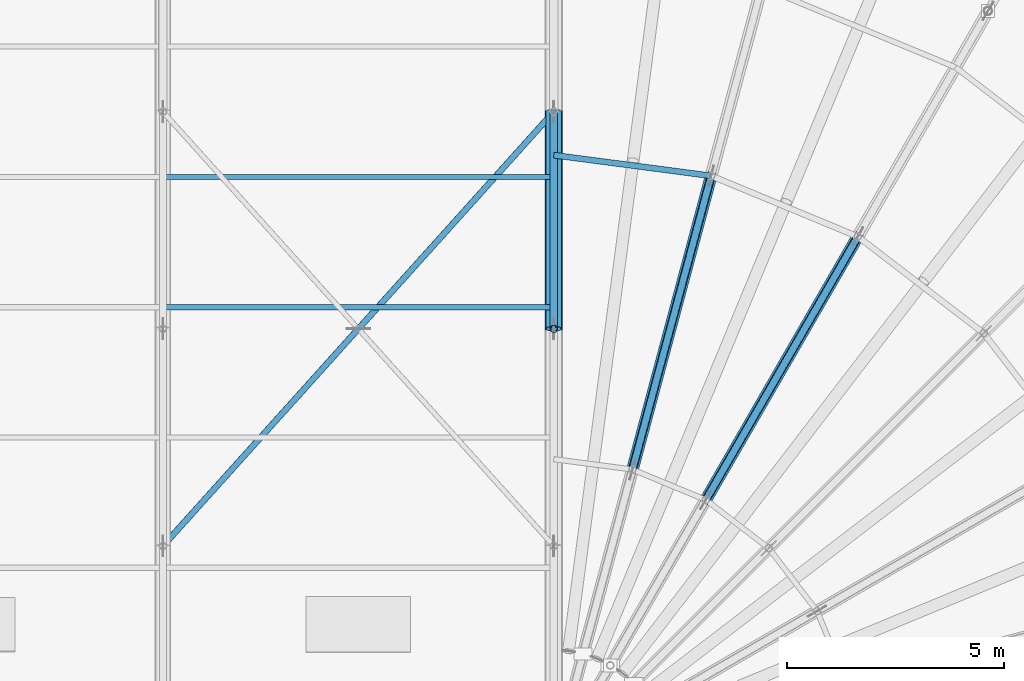
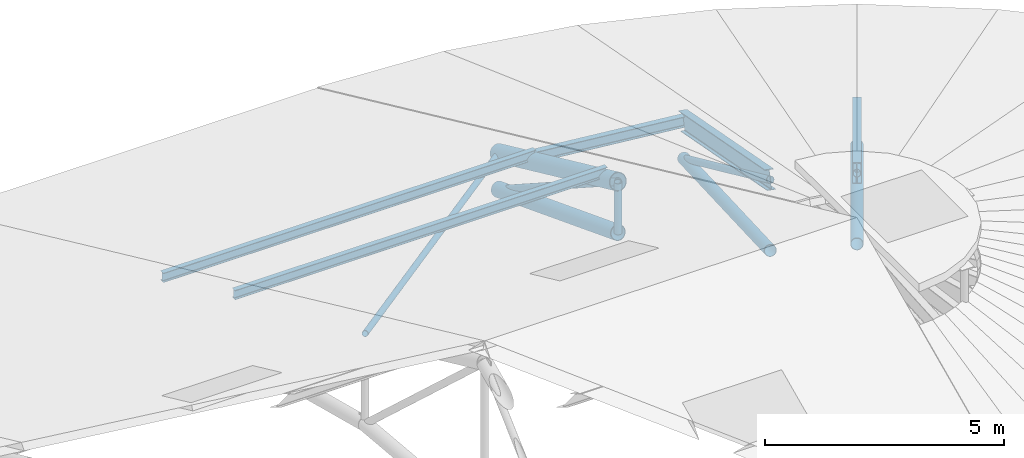
# One storey, part 49 of 107: 14 members.
"""IFC4 building model written with IfcOpenShell, lengths in metres."""

from ifc_helpers import new_model, si_unit, derived_unit, direction, frame, origin, origin_2d, place, context, subcontext, project, spatial, hollow_circle, i_section, extrude, material, material_profile, profile_set, type_object, element, save


model = new_model("IFC4")

# Units and contexts
model_context = context("Model", 3, precision=1e-05, world=origin(), true_north=direction((0.0, 1.0)))
body_context = subcontext(model_context, "Body", "Model", "MODEL_VIEW")
ifc_project = project(units=[si_unit("LENGTHUNIT", "METRE"), si_unit("AREAUNIT", "SQUARE_METRE"), si_unit("VOLUMEUNIT", "CUBIC_METRE"), si_unit("PLANEANGLEUNIT", "RADIAN"), si_unit("MASSUNIT", "GRAM", prefix="KILO"), si_unit("THERMODYNAMICTEMPERATUREUNIT", "KELVIN"), si_unit("TIMEUNIT", "SECOND"), derived_unit("THERMALTRANSMITTANCEUNIT", [(si_unit("MASSUNIT", "GRAM", prefix="KILO"), 1), (si_unit("THERMODYNAMICTEMPERATUREUNIT", "KELVIN"), -1), (si_unit("TIMEUNIT", "SECOND"), -3)])], contexts=[model_context])

# Site, building, storey
site_placement = place(None, origin())
site = spatial("IfcSite", under=ifc_project, at=site_placement, CompositionType="ELEMENT")
building_placement = place(site_placement, origin())
building = spatial("IfcBuilding", under=site, at=building_placement, Name="Cambertide Market Hall", CompositionType="ELEMENT")
storey_placement = place(building_placement, frame((0.0, 0.0, 18.300048828125)))
storey = spatial("IfcBuildingStorey", under=building, at=storey_placement, Name="RF", CompositionType="ELEMENT", Elevation=18.300048828125)

# Members
ifc_material_1 = material(Name="Steel S355", Category="steel")
ifc_material_profile_1 = material_profile(ifc_material_1, hollow_circle(Radius=0.136474609375, WallThickness=0.010009765625, at=origin_2d()), Name="CHS 273x10")
ifc_profile_set_1 = profile_set([ifc_material_profile_1], Name="Steel S355")
member_type_1 = type_object("IfcMemberType", Name="Arched Truss Chord CHS 273x10", PredefinedType="CHORD", material=ifc_profile_set_1)
member_1_placement = place(storey_placement, frame((108.5, 78.062255859375, -5.381591796875), z_axis=(0.473508125204, 0.820117658259, -0.321243026348), x_axis=(-0.866019471182, 0.500010275428, 0.0)))
element("IfcMember", 1, at=member_1_placement, inside=storey, type_object=member_type_1, Name="Half-Cone Radial Arch Chord E-20-2", PredefinedType="CHORD", context=body_context, shape_type="SweptSolid", body=[
    extrude(hollow_circle(Radius=0.136474609375, WallThickness=0.010009765625, at=origin_2d()), origin(), (0.0, 0.0, 1.0), 7.3916015625),
])
member_2_placement = place(storey_placement, frame((106.811767578125, 78.761474609375, -5.381591796875), z_axis=(0.245105868419, 0.914729420004, -0.321236986422), x_axis=(-0.965924543531, 0.258823832372, 0.0)))
element("IfcMember", 2, at=member_2_placement, inside=storey, type_object=member_type_1, Name="Half-Cone Radial Arch Chord E-22-2", PredefinedType="CHORD", context=body_context, shape_type="SweptSolid", body=[
    extrude(hollow_circle(Radius=0.136474609375, WallThickness=0.010009765625, at=origin_2d()), origin(), (0.0, 0.0, 1.0), 7.391845703125),
])
ifc_material_2 = material(Name="Steel S355", Category="steel")
ifc_material_profile_2 = material_profile(ifc_material_2, hollow_circle(Radius=0.177734375, WallThickness=0.012451171875, at=origin_2d()), Name="CHS 355.6x12.5")
ifc_profile_set_2 = profile_set([ifc_material_profile_2], Name="Steel S355")
member_type_2 = type_object("IfcMemberType", Name="Arched Truss Chord CHS 355.6x12.5", PredefinedType="CHORD", material=ifc_profile_set_2)
member_3_placement = place(storey_placement, frame((105.0, 82.0, -6.251220703125), z_axis=(0.0, 0.933191676524, -0.359379040661), x_axis=(-1.0, 0.0, 0.0)))
element("IfcMember", 3, at=member_3_placement, inside=storey, type_object=member_type_2, Name="Roof Truss 8 Arched Bottom Chord 7", PredefinedType="CHORD", context=body_context, shape_type="SweptSolid", body=[
    extrude(hollow_circle(Radius=0.177734375, WallThickness=0.012451171875, at=origin_2d()), origin(), (0.0, 0.0, 1.0), 5.35791015625),
])
ifc_material_3 = material(Name="Steel S355", Category="steel")
ifc_material_profile_3 = material_profile(ifc_material_3, hollow_circle(Radius=0.203125, WallThickness=0.01416015625, at=origin_2d()), Name="CHS 406.4x14.2")
ifc_profile_set_3 = profile_set([ifc_material_profile_3], Name="Steel S355")
member_type_3 = type_object("IfcMemberType", Name="Arched Truss Chord CHS 406.4x14.2", PredefinedType="CHORD", material=ifc_profile_set_3)
member_4_placement = place(storey_placement, frame((105.0, 82.0, -4.949951171875), z_axis=(0.0, 0.908487084298, -0.417912930721), x_axis=(-1.0, 0.0, 0.0)))
element("IfcMember", 4, at=member_4_placement, inside=storey, type_object=member_type_3, Name="Roof Truss 8 Top Chord 7", PredefinedType="CHORD", context=body_context, shape_type="SweptSolid", body=[
    extrude(hollow_circle(Radius=0.203125, WallThickness=0.01416015625, at=origin_2d()), origin(), (0.0, 0.0, 1.0), 5.503662109375),
])
ifc_material_4 = material(Name="Steel S355", Category="steel")
ifc_material_profile_4 = material_profile(ifc_material_4, i_section(OverallWidth=0.18994140625, OverallDepth=0.449951171875, WebThickness=0.009521484375, FlangeThickness=0.0146484375, FilletRadius=0.02099609375, at=origin_2d()), Name="IPE 450")
ifc_profile_set_4 = profile_set([ifc_material_profile_4], Name="Steel S355")
member_type_4 = type_object("IfcMemberType", Name="Radial Fan Rafter IPE 450", PredefinedType="RAFTER", material=ifc_profile_set_4)
member_5_placement = place(storey_placement, frame((108.5, 78.062255859375, -3.570068359375), z_axis=(0.454253652919, 0.786768847794, -0.417909558339), x_axis=(-0.866019471182, 0.500010275428, 0.0)))
element("IfcMember", 5, at=member_5_placement, inside=storey, type_object=member_type_4, Name="Half-Cone Radial Truss Rafter E-20-2", PredefinedType="RAFTER", context=body_context, shape_type="SweptSolid", body=[
    extrude(i_section(OverallWidth=0.18994140625, OverallDepth=0.449951171875, WebThickness=0.009521484375, FlangeThickness=0.0146484375, FilletRadius=0.02099609375, at=origin_2d()), origin(), (0.0, 0.0, 1.0), 7.704833984375),
])
member_6_placement = place(storey_placement, frame((106.811767578125, 78.761474609375, -3.570068359375), z_axis=(0.235139371303, 0.877534683767, -0.417902326925), x_axis=(-0.965924543531, 0.258823832372, 0.0)))
element("IfcMember", 6, at=member_6_placement, inside=storey, type_object=member_type_4, Name="Half-Cone Radial Truss Rafter E-22-2", PredefinedType="RAFTER", context=body_context, shape_type="SweptSolid", body=[
    extrude(i_section(OverallWidth=0.18994140625, OverallDepth=0.449951171875, WebThickness=0.009521484375, FlangeThickness=0.0146484375, FilletRadius=0.02099609375, at=origin_2d()), origin(), (0.0, 0.0, 1.0), 7.705078125),
])
ifc_material_5 = material(Name="Steel S275", Category="steel")
ifc_material_profile_5 = material_profile(ifc_material_5, i_section(OverallWidth=0.1201171875, OverallDepth=0.239990234375, WebThickness=0.006103515625, FlangeThickness=0.009765625, FilletRadius=0.014892578125, at=origin_2d()), Name="IPE 240")
ifc_profile_set_5 = profile_set([ifc_material_profile_5], Name="Steel S275")
member_type_5 = type_object("IfcMemberType", Name="Roof Purlin IPE 240", PredefinedType="PURLIN", material=ifc_profile_set_5)
for number, where, z_axis, x_axis, name in (
    (7, (96.0, 82.5, -4.969970703125), (1.0, 0.0, 0.0), (0.0, 1.0, 0.0), "Barrel Roof Purlin 7-12"),
    (8, (96.0, 85.5, -6.35009765625), (1.0, 0.0, 0.0), (0.0, 1.0, 0.0), "Barrel Roof Purlin 7-13"),
):
    element("IfcMember", number, at=place(storey_placement, frame(where, z_axis=z_axis, x_axis=x_axis)), inside=storey, type_object=member_type_5, Name=name, PredefinedType="PURLIN", context=body_context, shape_type="SweptSolid", body=[
        extrude(i_section(OverallWidth=0.1201171875, OverallDepth=0.239990234375, WebThickness=0.006103515625, FlangeThickness=0.009765625, FilletRadius=0.014892578125, at=origin_2d()), origin(), (0.0, 0.0, 1.0), 9.0),
    ])
ifc_material_6 = material(Name="Steel S275", Category="steel")
ifc_material_profile_6 = material_profile(ifc_material_6, i_section(OverallWidth=0.135009765625, OverallDepth=0.27001953125, WebThickness=0.006591796875, FlangeThickness=0.01025390625, FilletRadius=0.014892578125, at=origin_2d()), Name="IPE 270")
ifc_profile_set_6 = profile_set([ifc_material_profile_6], Name="Steel S275")
member_type_6 = type_object("IfcMemberType", Name="Roof Purlin IPE 270", PredefinedType="PURLIN", material=ifc_profile_set_6)
member_7_placement = place(storey_placement, frame((108.62353515625, 85.52294921875, -6.7900390625), z_axis=(-0.991444743541, 0.130527087244, 0.0), x_axis=(-0.130527087244, -0.991444743541, 0.0)))
element("IfcMember", 9, at=member_7_placement, inside=storey, type_object=member_type_6, Name="CPUR-E-140-12", PredefinedType="PURLIN", context=body_context, shape_type="SweptSolid", body=[
    extrude(i_section(OverallWidth=0.135009765625, OverallDepth=0.27001953125, WebThickness=0.006591796875, FlangeThickness=0.01025390625, FilletRadius=0.014892578125, at=origin_2d()), origin(), (0.0, 0.0, 1.0), 3.65478515625),
])
ifc_material_7 = material(Name="Steel S275", Category="steel")
ifc_material_profile_7 = material_profile(ifc_material_7, hollow_circle(Radius=0.06982421875, WallThickness=0.0048828125, at=origin_2d()), Name="CHS 139.7x5")
ifc_profile_set_7 = profile_set([ifc_material_profile_7], Name="Steel S275")
member_type_7 = type_object("IfcMemberType", Name="Structural Brace CHS 139.7x5", PredefinedType="BRACE", material=ifc_profile_set_7)
member_8_placement = place(storey_placement, frame((96.0, 77.0, -2.650146484375), z_axis=(0.632989261711, 0.703321401901, -0.323517542315), x_axis=(-0.743294146247, 0.668964731622, 0.0)))
element("IfcMember", 10, at=member_8_placement, inside=storey, type_object=member_type_7, Name="Roof Wind X-Brace Continuous Diagonal 7-N1", PredefinedType="BRACE", context=body_context, shape_type="SweptSolid", body=[
    extrude(hollow_circle(Radius=0.06982421875, WallThickness=0.0048828125, at=origin_2d()), origin(), (0.0, 0.0, 1.0), 14.21826171875),
])
ifc_material_8 = material(Name="Steel S355", Category="steel")
ifc_material_profile_8 = material_profile(ifc_material_8, hollow_circle(Radius=0.084228515625, WallThickness=0.00634765625, at=origin_2d()), Name="CHS 168.3x6.3")
ifc_profile_set_8 = profile_set([ifc_material_profile_8], Name="Steel S355")
member_type_8 = type_object("IfcMemberType", Name="Structural Brace CHS 168.3x6.3", PredefinedType="BRACE", material=ifc_profile_set_8)
member_9_placement = place(storey_placement, frame((105.0, 82.0, -4.949951171875), z_axis=(0.0, 0.840220073362, -0.542245542462), x_axis=(-1.0, 0.0, 0.0)))
element("IfcMember", 11, at=member_9_placement, inside=storey, type_object=member_type_8, Name="Roof Truss 8 Web Diagonal 7", PredefinedType="BRACE", context=body_context, shape_type="SweptSolid", body=[
    extrude(hollow_circle(Radius=0.084228515625, WallThickness=0.00634765625, at=origin_2d()), origin(), (0.0, 0.0, 1.0), 5.950927734375),
])
member_10_placement = place(storey_placement, frame((105.0, 82.0, -6.251220703125), z_axis=(0.0, 0.0, 1.0), x_axis=(1.0, 0.0, 0.0)))
element("IfcMember", 12, at=member_10_placement, inside=storey, type_object=member_type_8, Name="Roof Truss 8 Web Post 7", PredefinedType="BRACE", context=body_context, shape_type="SweptSolid", body=[
    extrude(hollow_circle(Radius=0.084228515625, WallThickness=0.00634765625, at=origin_2d()), origin(), (0.0, 0.0, 1.0), 1.30126953125),
])
member_11_placement = place(storey_placement, frame((112.0, 84.124267578125, -7.756103515625), z_axis=(-0.429130184304, -0.743254916034, 0.513244010887), x_axis=(0.866019471182, -0.500010275428, 0.0)))
element("IfcMember", 13, at=member_11_placement, inside=storey, type_object=member_type_8, Name="RWB-E-20-D2", PredefinedType="BRACE", context=body_context, shape_type="SweptSolid", body=[
    extrude(hollow_circle(Radius=0.084228515625, WallThickness=0.00634765625, at=origin_2d()), origin(), (0.0, 0.0, 1.0), 8.156005859375),
])
member_12_placement = place(storey_placement, frame((108.62353515625, 85.52294921875, -7.756103515625), z_axis=(-0.222134899502, -0.829002296418, 0.513236085011), x_axis=(0.965924543531, -0.258823832372, 0.0)))
element("IfcMember", 14, at=member_12_placement, inside=storey, type_object=member_type_8, Name="RWB-E-22-D2", PredefinedType="BRACE", context=body_context, shape_type="SweptSolid", body=[
    extrude(hollow_circle(Radius=0.084228515625, WallThickness=0.00634765625, at=origin_2d()), origin(), (0.0, 0.0, 1.0), 8.15625),
])

save(model, "model.ifc")
